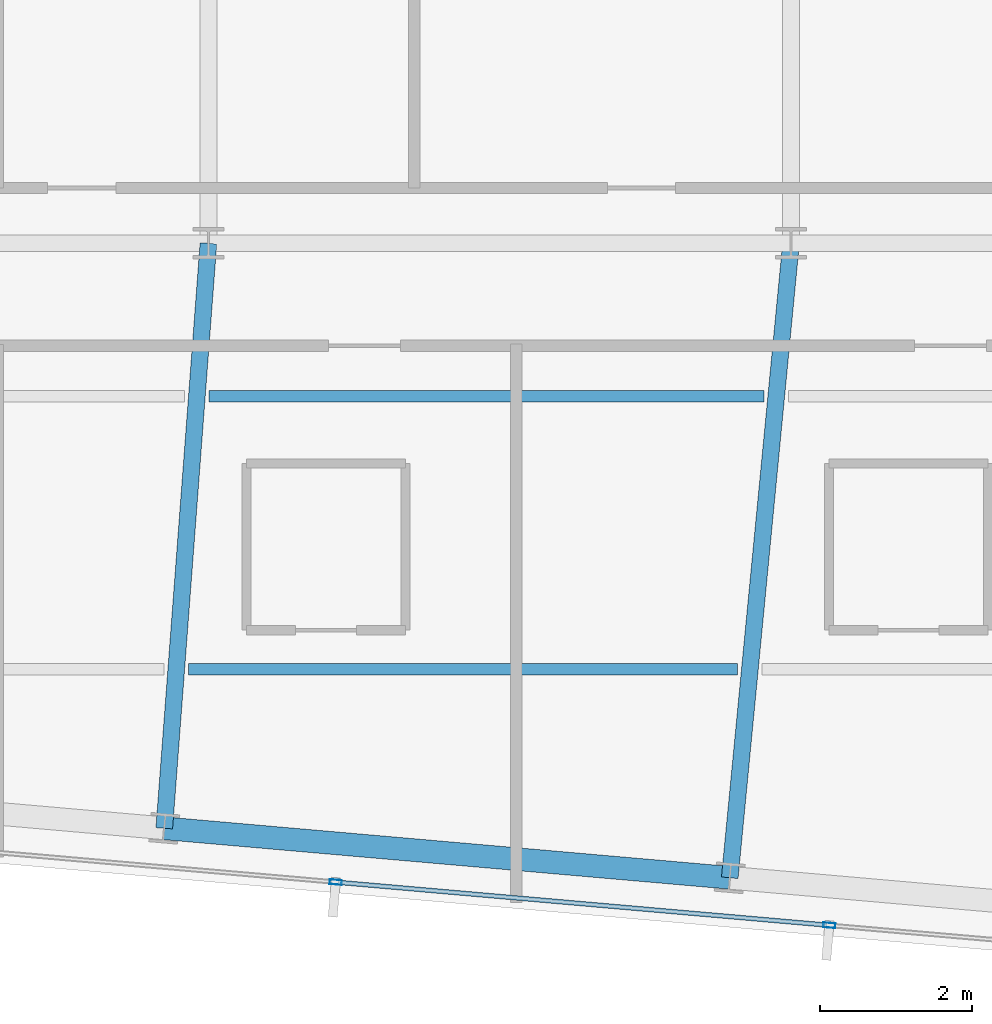
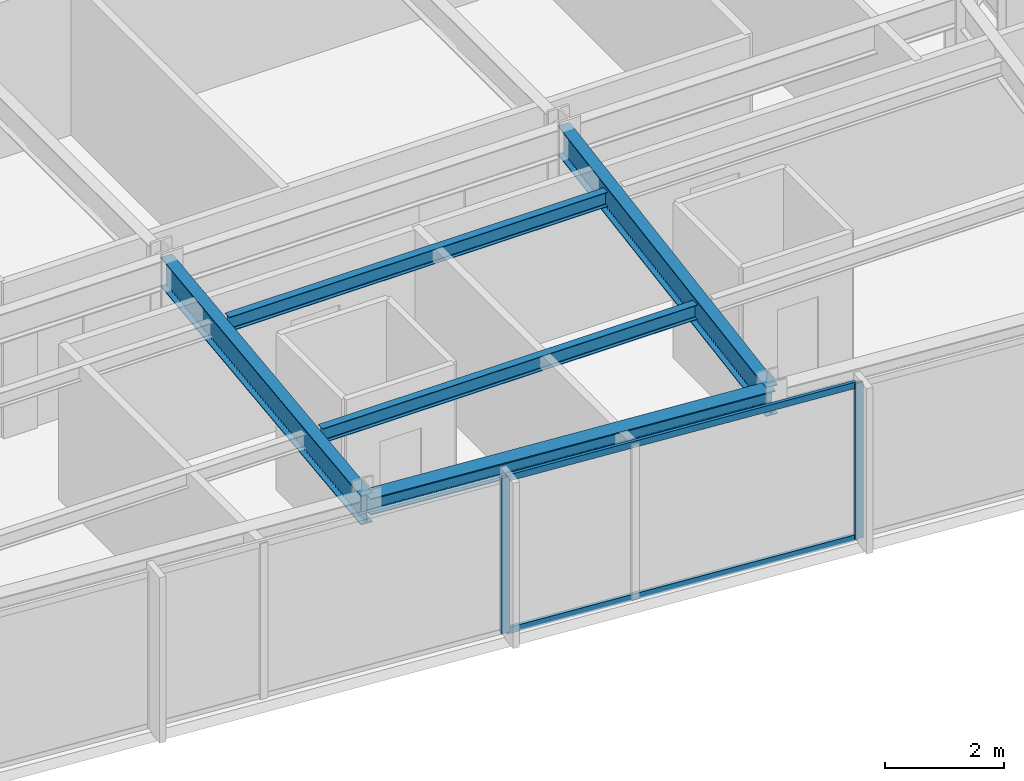
# One storey, part 13 of 33: 5 beams, 4 members, 1 element without a shape of its own.
"""IFC4 building model written with IfcOpenShell, lengths in metres."""

from ifc_helpers import new_model, si_unit, direction, frame, origin, origin_2d, place, context, subcontext, project, spatial, hollow_rectangle, i_section, extrude, material, material_profile, profile_set, type_object, element, aggregate, save


model = new_model("IFC4")

# Units and contexts
model_context = context("Model", 3, precision=1e-05, world=origin(), true_north=direction((0.0, 1.0)))
body_context = subcontext(model_context, "Body", "Model", "MODEL_VIEW")
ifc_project = project(units=[si_unit("LENGTHUNIT", "METRE"), si_unit("AREAUNIT", "SQUARE_METRE"), si_unit("VOLUMEUNIT", "CUBIC_METRE"), si_unit("PLANEANGLEUNIT", "RADIAN"), si_unit("MASSUNIT", "GRAM", prefix="KILO")], contexts=[model_context])

# Site, building, storey
site_placement = place(None, origin())
site = spatial("IfcSite", under=ifc_project, at=site_placement, CompositionType="ELEMENT")
building_placement = place(site_placement, origin())
building = spatial("IfcBuilding", under=site, at=building_placement, Name="Yelkora Congress Tower", CompositionType="ELEMENT")
storey_placement = place(building_placement, frame((0.0, 0.0, 289.699951171875)))
storey = spatial("IfcBuildingStorey", under=building, at=storey_placement, Name="L81", CompositionType="ELEMENT", Elevation=289.699951171875)

# Beams
ifc_material_1 = material(Name="Steel S355J2", Category="steel")
ifc_material_profile_1 = material_profile(ifc_material_1, i_section(OverallWidth=0.219970703125, OverallDepth=0.60009765625, WebThickness=0.011962890625, FlangeThickness=0.01904296875, FilletRadius=0.02392578125, at=origin_2d()), Name="IPE 600")
ifc_profile_set_1 = profile_set([ifc_material_profile_1], Name="Steel S355J2")
beam_type_1 = type_object("IfcBeamType", Name="BM-GIRD-IPE600", PredefinedType="BEAM", material=ifc_profile_set_1)
beam_1_placement = place(storey_placement, frame((37.8173828125, 17.489013671875, 2.880126953125), z_axis=(0.075329932006, 0.997158664077, 0.0), x_axis=(-0.997158664077, 0.075329932006, 0.0)))
element("IfcBeam", 1, at=beam_1_placement, inside=storey, type_object=beam_type_1, Name="L81 Primary Frame Girder S05", PredefinedType="BEAM", context=body_context, shape_type="SweptSolid", body=[
    extrude(i_section(OverallWidth=0.219970703125, OverallDepth=0.60009765625, WebThickness=0.011962890625, FlangeThickness=0.01904296875, FilletRadius=0.02392578125, at=origin_2d()), origin(), (0.0, 0.0, 1.0), 7.73291015625),
])
beam_2_placement = place(storey_placement, frame((45.2724609375, 16.836669921875, 2.880126953125), z_axis=(0.096119896563, 0.995369763196, 0.0), x_axis=(-0.995369763196, 0.096119896563, 0.0)))
element("IfcBeam", 2, at=beam_2_placement, inside=storey, type_object=beam_type_1, Name="L81 Primary Frame Girder S06", PredefinedType="BEAM", context=body_context, shape_type="SweptSolid", body=[
    extrude(i_section(OverallWidth=0.219970703125, OverallDepth=0.60009765625, WebThickness=0.011962890625, FlangeThickness=0.01904296875, FilletRadius=0.02392578125, at=origin_2d()), origin(), (0.0, 0.0, 1.0), 8.402099609375),
])
ifc_material_profile_2 = material_profile(ifc_material_1, i_section(OverallWidth=0.14990234375, OverallDepth=0.300048828125, WebThickness=0.007080078125, FlangeThickness=0.0107421875, FilletRadius=0.014892578125, at=origin_2d()), Name="IPE 300")
ifc_profile_set_2 = profile_set([ifc_material_profile_2], Name="Steel S355J2")
beam_type_2 = type_object("IfcBeamType", Name="BM-JOIST-IPE300", PredefinedType="JOIST", material=ifc_profile_set_2)
beam_3_placement = place(storey_placement, frame((38.1357421875, 19.58447265625, 3.030029296875), z_axis=(1.0, 0.0, 0.0), x_axis=(0.0, 1.0, 0.0)))
element("IfcBeam", 3, at=beam_3_placement, inside=storey, type_object=beam_type_2, Name="L81 Composite Floor Joist 3", PredefinedType="JOIST", context=body_context, shape_type="SweptSolid", body=[
    extrude(i_section(OverallWidth=0.14990234375, OverallDepth=0.300048828125, WebThickness=0.007080078125, FlangeThickness=0.0107421875, FilletRadius=0.014892578125, at=origin_2d()), origin(), (0.0, 0.0, 1.0), 7.241943359375),
])
beam_4_placement = place(storey_placement, frame((38.40771484375, 23.1845703125, 3.030029296875), z_axis=(1.0, 0.0, 0.0), x_axis=(0.0, 1.0, 0.0)))
element("IfcBeam", 4, at=beam_4_placement, inside=storey, type_object=beam_type_2, Name="L81 Composite Floor Joist 7", PredefinedType="JOIST", context=body_context, shape_type="SweptSolid", body=[
    extrude(i_section(OverallWidth=0.14990234375, OverallDepth=0.300048828125, WebThickness=0.007080078125, FlangeThickness=0.0107421875, FilletRadius=0.014892578125, at=origin_2d()), origin(), (0.0, 0.0, 1.0), 7.317626953125),
])
ifc_material_profile_3 = material_profile(ifc_material_1, i_section(OverallWidth=0.300048828125, OverallDepth=0.340087890625, WebThickness=0.011962890625, FlangeThickness=0.021484375, FilletRadius=0.027099609375, at=origin_2d()), Name="HEB 340")
ifc_profile_set_3 = profile_set([ifc_material_profile_3], Name="Steel S355J2")
beam_type_3 = type_object("IfcBeamType", Name="BM-SPAN-HEB340", PredefinedType="SPANDREL", material=ifc_profile_set_3)
beam_5_placement = place(storey_placement, frame((37.8173828125, 17.489013671875, 3.010009765625), z_axis=(0.996193434204, -0.08717018785, 0.0), x_axis=(0.08717018785, 0.996193434204, 0.0)))
element("IfcBeam", 5, at=beam_5_placement, inside=storey, type_object=beam_type_3, Name="L81 Perimeter Beam 5", PredefinedType="SPANDREL", context=body_context, shape_type="SweptSolid", body=[
    extrude(i_section(OverallWidth=0.300048828125, OverallDepth=0.340087890625, WebThickness=0.011962890625, FlangeThickness=0.021484375, FilletRadius=0.027099609375, at=origin_2d()), origin(), (0.0, 0.0, 1.0), 7.483642578125),
])

# Curtain wall, members
ifc_material_2 = material(Name="Anodised aluminium and insulated glass", Category="aluminium")
curtain_wall_type = type_object("IfcCurtainWallType", Name="CW-SYS-B5", PredefinedType="NOTDEFINED", material=ifc_material_2)
curtain_wall_placement = place(storey_placement, origin())
curtain_wall = element("IfcCurtainWall", 6, at=curtain_wall_placement, inside=storey, type_object=curtain_wall_type, Name="L81 Unitised Curtain Wall 20", PredefinedType="NOTDEFINED")
ifc_material_3 = material(Name="Anodised aluminium 6063-T6", Category="aluminium")
ifc_material_profile_4 = material_profile(ifc_material_3, hollow_rectangle(XDim=0.06494140625, YDim=0.159912109375, WallThickness=0.00390625, at=origin_2d()), Name="ALU 65x160x4")
ifc_profile_set_4 = profile_set([ifc_material_profile_4], Name="Anodised aluminium 6063-T6")
member_type_1 = type_object("IfcMemberType", Name="MEM-ML-B5", PredefinedType="MULLION", material=ifc_profile_set_4)
member_1_placement = place(storey_placement, frame((46.58447265625, 16.2099609375, 0.0), z_axis=(0.0, 0.0, 1.0), x_axis=(-0.087156829793, -0.996194602987, 0.0)))
member_1 = element("IfcMember", 7, at=member_1_placement, type_object=member_type_1, Name="CW-B5 mullion 2", PredefinedType="MULLION", context=body_context, shape_type="SweptSolid", body=[
    extrude(hollow_rectangle(XDim=0.06494140625, YDim=0.159912109375, WallThickness=0.00390625, at=origin_2d()), origin(), (0.0, 0.0, 1.0), 3.179931640625),
])
member_2_placement = place(storey_placement, frame((40.077880859375, 16.779296875, 0.0), z_axis=(0.0, 0.0, 1.0), x_axis=(-0.087156829793, -0.996194602987, 0.0)))
member_2 = element("IfcMember", 8, at=member_2_placement, type_object=member_type_1, Name="CW-B5 mullion 3", PredefinedType="MULLION", context=body_context, shape_type="SweptSolid", body=[
    extrude(hollow_rectangle(XDim=0.06494140625, YDim=0.159912109375, WallThickness=0.00390625, at=origin_2d()), origin(), (0.0, 0.0, 1.0), 3.179931640625),
])
ifc_material_profile_5 = material_profile(ifc_material_3, hollow_rectangle(XDim=0.06005859375, YDim=0.1298828125, WallThickness=0.00390625, at=origin_2d()), Name="ALU 60x130x4")
ifc_profile_set_5 = profile_set([ifc_material_profile_5], Name="Anodised aluminium 6063-T6")
member_type_2 = type_object("IfcMemberType", Name="MEM-TR-B5", PredefinedType="USERDEFINED", material=ifc_profile_set_5)
member_3_placement = place(storey_placement, frame((46.55224609375, 16.212890625, 0.030029296875), z_axis=(-0.996196257862, 0.087137912649, 0.0), x_axis=(-0.087137912649, -0.996196257862, 0.0)))
member_3 = element("IfcMember", 9, at=member_3_placement, type_object=member_type_2, Name="CW-B5 transom 2.1", ObjectType="TRANSOM", PredefinedType="USERDEFINED", context=body_context, shape_type="SweptSolid", body=[
    extrude(hollow_rectangle(XDim=0.06005859375, YDim=0.1298828125, WallThickness=0.00390625, at=origin_2d()), origin(), (0.0, 0.0, 1.0), 6.466552734375),
])
member_4_placement = place(storey_placement, frame((46.55224609375, 16.212890625, 3.150146484375), z_axis=(-0.996196257862, 0.087137912649, 0.0), x_axis=(-0.087137912649, -0.996196257862, 0.0)))
member_4 = element("IfcMember", 10, at=member_4_placement, type_object=member_type_2, Name="CW-B5 transom 2.2", ObjectType="TRANSOM", PredefinedType="USERDEFINED", context=body_context, shape_type="SweptSolid", body=[
    extrude(hollow_rectangle(XDim=0.06005859375, YDim=0.1298828125, WallThickness=0.00390625, at=origin_2d()), origin(), (0.0, 0.0, 1.0), 6.466552734375),
])
aggregate(curtain_wall, [member_1, member_2, member_3, member_4])

save(model, "model.ifc")
